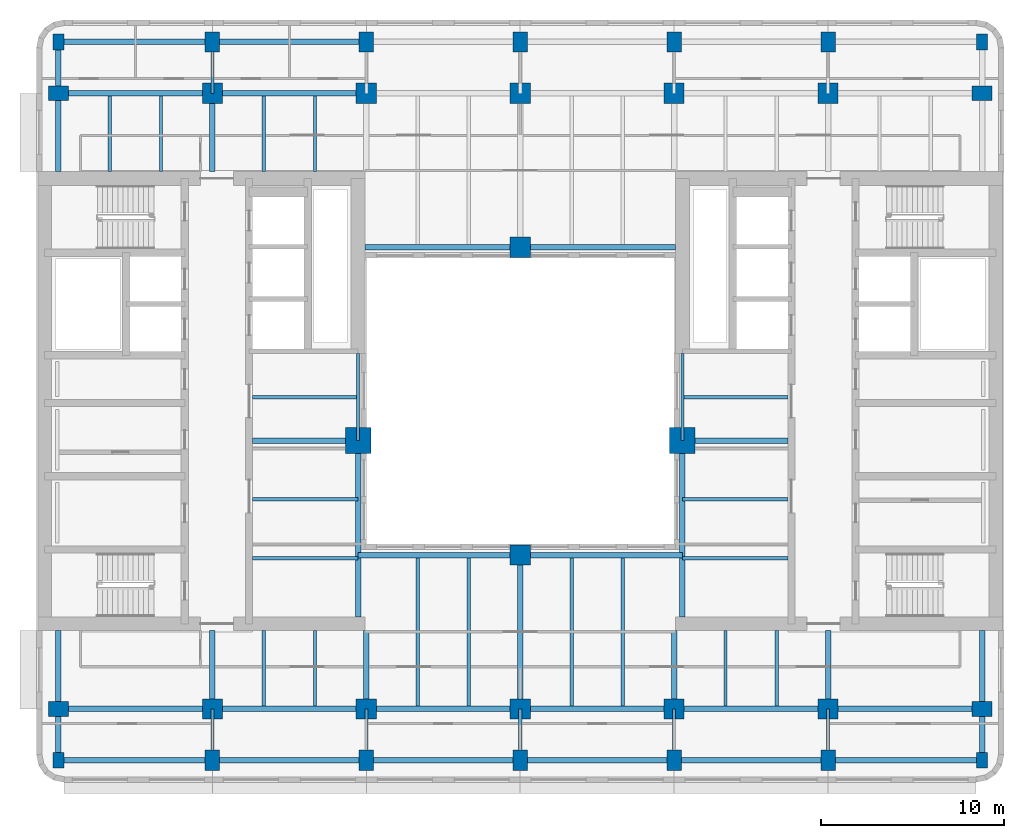
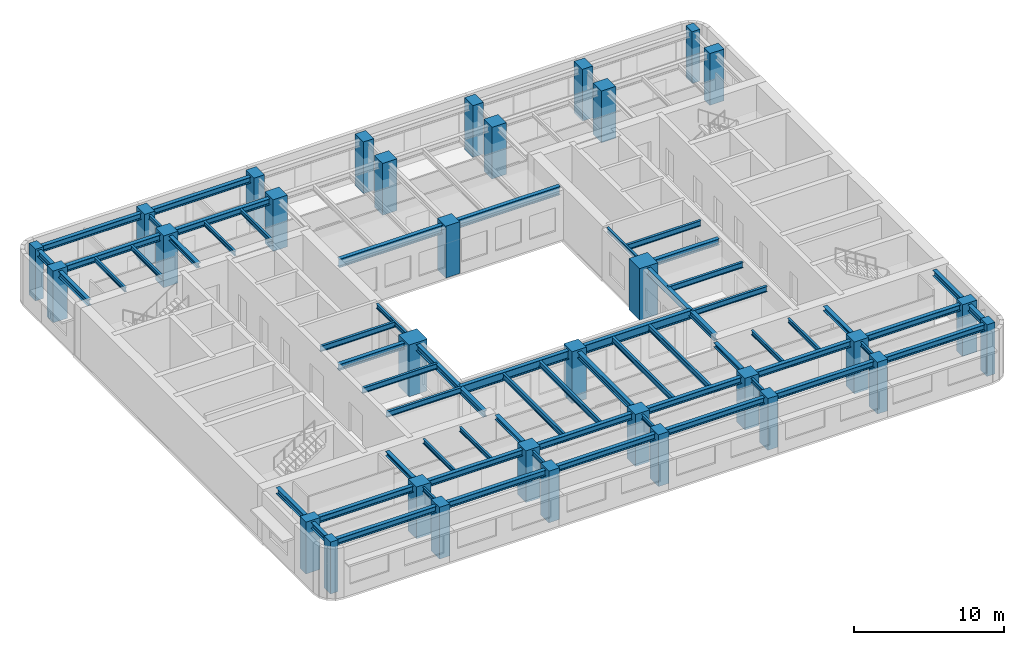
# One storey, part 1 of 11: 62 beams, 32 columns.
"""IFC4 building model written with IfcOpenShell, lengths in metres."""

from ifc_helpers import new_model, si_unit, direction, frame, origin, origin_2d, place, context, subcontext, project, spatial, rectangle, i_section, extrude, material, material_profile, profile_set, type_object, element, save


model = new_model("IFC4")

# Units and contexts
model_context = context("Model", 3, precision=1e-05, world=origin(), true_north=direction((0.0, 1.0)))
body_context = subcontext(model_context, "Body", "Model", "MODEL_VIEW")
ifc_project = project(units=[si_unit("LENGTHUNIT", "METRE"), si_unit("AREAUNIT", "SQUARE_METRE"), si_unit("VOLUMEUNIT", "CUBIC_METRE"), si_unit("PLANEANGLEUNIT", "RADIAN"), si_unit("MASSUNIT", "GRAM", prefix="KILO")], contexts=[model_context])

# Site, building, storey
site_placement = place(None, origin())
site = spatial("IfcSite", under=ifc_project, at=site_placement, CompositionType="ELEMENT")
building_placement = place(site_placement, origin())
building = spatial("IfcBuilding", under=site, at=building_placement, Name="Claustro Exchange Tower", CompositionType="ELEMENT")
storey_placement = place(building_placement, frame((0.0, 0.0, 198.60009765625)))
storey = spatial("IfcBuildingStorey", under=building, at=storey_placement, Name="L45", CompositionType="ELEMENT", Elevation=198.60009765625)

# Columns
ifc_material_1 = material(Name="Concrete HA-70 (C70/85)", Category="concrete")
ifc_material_profile_1 = material_profile(ifc_material_1, rectangle(XDim=1.39990234375, YDim=1.39990234375, at=origin_2d()), Name="RC 1400x1400")
ifc_profile_set_1 = profile_set([ifc_material_profile_1], Name="Concrete HA-70 (C70/85)")
column_type_1 = type_object("IfcColumnType", Name="C0 RC 1400x1400 HA-70 column", PredefinedType="COLUMN", material=ifc_profile_set_1)
for number, where, z_axis, x_axis, name in (
    (1, (16.35009765625, 23.050048828125, 0.0), (0.0, 0.0, 1.0), (1.0, 0.0, 0.0), "Column C0 2+7950/C+6250 L45"),
    (2, (34.050048828125, 23.050048828125, 0.0), (0.0, 0.0, 1.0), (1.0, 0.0, 0.0), "Column C0 5+450/C+6250 L45"),
):
    element("IfcColumn", number, at=place(storey_placement, frame(where, z_axis=z_axis, x_axis=x_axis)), inside=storey, type_object=column_type_1, Name=name, PredefinedType="COLUMN", context=body_context, shape_type="SweptSolid", body=[
        extrude(rectangle(XDim=1.39990234375, YDim=1.39990234375, at=origin_2d()), origin(), (0.0, 0.0, 1.0), 4.199951171875),
    ])
ifc_material_2 = material(Name="Concrete HA-70 (C70/85)", Category="concrete")
ifc_material_profile_2 = material_profile(ifc_material_2, rectangle(XDim=1.10009765625, YDim=1.10009765625, at=origin_2d()), Name="RC 1100x1100")
ifc_profile_set_2 = profile_set([ifc_material_profile_2], Name="Concrete HA-70 (C70/85)")
column_type_2 = type_object("IfcColumnType", Name="C17 RC 1100x1100 HA-70 column", PredefinedType="COLUMN", material=ifc_profile_set_2)
for number, where, z_axis, x_axis, name in (
    (3, (8.39990234375, 8.39990234375, 0.0), (0.0, 0.0, 1.0), (1.0, 0.0, 0.0), "Column C17 2/B L45"),
    (4, (8.39990234375, 42.0, 0.0), (0.0, 0.0, 1.0), (1.0, 0.0, 0.0), "Column C17 2/F L45"),
    (5, (16.800048828125, 8.39990234375, 0.0), (0.0, 0.0, 1.0), (1.0, 0.0, 0.0), "Column C17 3/B L45"),
    (6, (16.800048828125, 42.0, 0.0), (0.0, 0.0, 1.0), (1.0, 0.0, 0.0), "Column C17 3/F L45"),
    (7, (25.199951171875, 8.39990234375, 0.0), (0.0, 0.0, 1.0), (1.0, 0.0, 0.0), "Column C17 4/B L45"),
    (8, (25.199951171875, 42.0, 0.0), (0.0, 0.0, 1.0), (1.0, 0.0, 0.0), "Column C17 4/F L45"),
    (9, (25.199951171875, 16.800048828125, 0.0), (0.0, 0.0, 1.0), (1.0, 0.0, 0.0), "Column C17 4/C L45"),
    (10, (25.199951171875, 33.60009765625, 0.0), (0.0, 0.0, 1.0), (1.0, 0.0, 0.0), "Column C17 4/E L45"),
    (11, (33.60009765625, 8.39990234375, 0.0), (0.0, 0.0, 1.0), (1.0, 0.0, 0.0), "Column C17 5/B L45"),
    (12, (33.60009765625, 42.0, 0.0), (0.0, 0.0, 1.0), (1.0, 0.0, 0.0), "Column C17 5/F L45"),
    (13, (42.0, 8.39990234375, 0.0), (0.0, 0.0, 1.0), (1.0, 0.0, 0.0), "Column C17 6/B L45"),
    (14, (42.0, 42.0, 0.0), (0.0, 0.0, 1.0), (1.0, 0.0, 0.0), "Column C17 6/F L45"),
):
    element("IfcColumn", number, at=place(storey_placement, frame(where, z_axis=z_axis, x_axis=x_axis)), inside=storey, type_object=column_type_2, Name=name, PredefinedType="COLUMN", context=body_context, shape_type="SweptSolid", body=[
        extrude(rectangle(XDim=1.10009765625, YDim=1.10009765625, at=origin_2d()), origin(), (0.0, 0.0, 1.0), 4.199951171875),
    ])
ifc_material_3 = material(Name="Concrete HA-50 (C50/60)", Category="concrete")
ifc_material_profile_3 = material_profile(ifc_material_3, rectangle(XDim=0.800048828125, YDim=1.10009765625, at=origin_2d()), Name="RC 800x1100")
ifc_profile_set_3 = profile_set([ifc_material_profile_3], Name="Concrete HA-50 (C50/60)")
column_type_3 = type_object("IfcColumnType", Name="C23 RC 800x1100 HA-50 perimeter column", PredefinedType="COLUMN", material=ifc_profile_set_3)
for number, where, z_axis, x_axis, name in (
    (15, (0.0, 8.39990234375, 0.0), (0.0, 0.0, 1.0), (0.0, 1.0, 0.0), "Column C23 1/B L45"),
    (16, (0.0, 42.0, 0.0), (0.0, 0.0, 1.0), (0.0, 1.0, 0.0), "Column C23 1/F L45"),
    (17, (8.39990234375, 5.60009765625, 0.0), (0.0, 0.0, 1.0), (1.0, 0.0, 0.0), "Column C23 2/A+5600 L45"),
    (18, (8.39990234375, 44.800048828125, 0.0), (0.0, 0.0, 1.0), (1.0, 0.0, 0.0), "Column C23 2/F+2800 L45"),
    (19, (16.800048828125, 5.60009765625, 0.0), (0.0, 0.0, 1.0), (1.0, 0.0, 0.0), "Column C23 3/A+5600 L45"),
    (20, (16.800048828125, 44.800048828125, 0.0), (0.0, 0.0, 1.0), (1.0, 0.0, 0.0), "Column C23 3/F+2800 L45"),
    (21, (25.199951171875, 5.60009765625, 0.0), (0.0, 0.0, 1.0), (1.0, 0.0, 0.0), "Column C23 4/A+5600 L45"),
    (22, (25.199951171875, 44.800048828125, 0.0), (0.0, 0.0, 1.0), (1.0, 0.0, 0.0), "Column C23 4/F+2800 L45"),
    (23, (33.60009765625, 5.60009765625, 0.0), (0.0, 0.0, 1.0), (1.0, 0.0, 0.0), "Column C23 5/A+5600 L45"),
    (24, (33.60009765625, 44.800048828125, 0.0), (0.0, 0.0, 1.0), (1.0, 0.0, 0.0), "Column C23 5/F+2800 L45"),
    (25, (42.0, 5.60009765625, 0.0), (0.0, 0.0, 1.0), (1.0, 0.0, 0.0), "Column C23 6/A+5600 L45"),
    (26, (42.0, 44.800048828125, 0.0), (0.0, 0.0, 1.0), (1.0, 0.0, 0.0), "Column C23 6/F+2800 L45"),
    (27, (50.39990234375, 8.39990234375, 0.0), (0.0, 0.0, 1.0), (0.0, 1.0, 0.0), "Column C23 7/B L45"),
    (28, (50.39990234375, 42.0, 0.0), (0.0, 0.0, 1.0), (0.0, 1.0, 0.0), "Column C23 7/F L45"),
):
    element("IfcColumn", number, at=place(storey_placement, frame(where, z_axis=z_axis, x_axis=x_axis)), inside=storey, type_object=column_type_3, Name=name, PredefinedType="COLUMN", context=body_context, shape_type="SweptSolid", body=[
        extrude(rectangle(XDim=0.800048828125, YDim=1.10009765625, at=origin_2d()), origin(), (0.0, 0.0, 1.0), 4.199951171875),
    ])
ifc_material_4 = material(Name="Concrete HA-50 (C50/60)", Category="concrete")
ifc_material_profile_4 = material_profile(ifc_material_4, rectangle(XDim=0.60009765625, YDim=0.85009765625, at=origin_2d()), Name="RC 600x850")
ifc_profile_set_4 = profile_set([ifc_material_profile_4], Name="Concrete HA-50 (C50/60)")
column_type_4 = type_object("IfcColumnType", Name="C25 RC 600x850 HA-50 corner column", PredefinedType="COLUMN", material=ifc_profile_set_4)
for number, where, z_axis, x_axis, name in (
    (29, (0.0, 5.60009765625, 0.0), (0.0, 0.0, 1.0), (1.0, 0.0, 0.0), "Column C25 1/A+5600 L45"),
    (30, (0.0, 44.800048828125, 0.0), (0.0, 0.0, 1.0), (1.0, 0.0, 0.0), "Column C25 1/F+2800 L45"),
    (31, (50.39990234375, 5.60009765625, 0.0), (0.0, 0.0, 1.0), (1.0, 0.0, 0.0), "Column C25 7/A+5600 L45"),
    (32, (50.39990234375, 44.800048828125, 0.0), (0.0, 0.0, 1.0), (1.0, 0.0, 0.0), "Column C25 7/F+2800 L45"),
):
    element("IfcColumn", number, at=place(storey_placement, frame(where, z_axis=z_axis, x_axis=x_axis)), inside=storey, type_object=column_type_4, Name=name, PredefinedType="COLUMN", context=body_context, shape_type="SweptSolid", body=[
        extrude(rectangle(XDim=0.60009765625, YDim=0.85009765625, at=origin_2d()), origin(), (0.0, 0.0, 1.0), 4.199951171875),
    ])

# Beams
ifc_material_5 = material(Name="Steel S355", Category="steel")
ifc_material_profile_5 = material_profile(ifc_material_5, i_section(OverallWidth=0.300048828125, OverallDepth=0.68994140625, WebThickness=0.014404296875, FlangeThickness=0.027099609375, FilletRadius=0.027099609375, at=origin_2d()), Name="HE 700 A")
ifc_profile_set_5 = profile_set([ifc_material_profile_5], Name="Steel S355")
beam_type_1 = type_object("IfcBeamType", Name="B13 HE 700 A light well edge girder", PredefinedType="BEAM", material=ifc_profile_set_5)
beam_1_placement = place(storey_placement, frame((16.35009765625, 16.800048828125, 3.704833984375), z_axis=(1.0, 0.0, 0.0), x_axis=(0.0, 1.0, 0.0)))
element("IfcBeam", 33, at=beam_1_placement, inside=storey, type_object=beam_type_1, Name="Beam B13 L46", PredefinedType="BEAM", context=body_context, shape_type="SweptSolid", body=[
    extrude(i_section(OverallWidth=0.300048828125, OverallDepth=0.68994140625, WebThickness=0.014404296875, FlangeThickness=0.027099609375, FilletRadius=0.027099609375, at=origin_2d()), origin(), (0.0, 0.0, 1.0), 8.849853515625),
])
beam_2_placement = place(storey_placement, frame((25.199951171875, 16.800048828125, 3.704833984375), z_axis=(1.0, 0.0, 0.0), x_axis=(0.0, 1.0, 0.0)))
element("IfcBeam", 34, at=beam_2_placement, inside=storey, type_object=beam_type_1, Name="Beam B13 L46", PredefinedType="BEAM", context=body_context, shape_type="SweptSolid", body=[
    extrude(i_section(OverallWidth=0.300048828125, OverallDepth=0.68994140625, WebThickness=0.014404296875, FlangeThickness=0.027099609375, FilletRadius=0.027099609375, at=origin_2d()), origin(), (0.0, 0.0, 1.0), 8.85009765625),
])
beam_3_placement = place(storey_placement, frame((16.72509765625, 33.60009765625, 3.704833984375), z_axis=(1.0, 0.0, 0.0), x_axis=(0.0, 1.0, 0.0)))
element("IfcBeam", 35, at=beam_3_placement, inside=storey, type_object=beam_type_1, Name="Beam B13 L46", PredefinedType="BEAM", context=body_context, shape_type="SweptSolid", body=[
    extrude(i_section(OverallWidth=0.300048828125, OverallDepth=0.68994140625, WebThickness=0.014404296875, FlangeThickness=0.027099609375, FilletRadius=0.027099609375, at=origin_2d()), origin(), (0.0, 0.0, 1.0), 8.474853515625),
])
beam_4_placement = place(storey_placement, frame((25.199951171875, 33.60009765625, 3.704833984375), z_axis=(1.0, 0.0, 0.0), x_axis=(0.0, 1.0, 0.0)))
element("IfcBeam", 36, at=beam_4_placement, inside=storey, type_object=beam_type_1, Name="Beam B13 L46", PredefinedType="BEAM", context=body_context, shape_type="SweptSolid", body=[
    extrude(i_section(OverallWidth=0.300048828125, OverallDepth=0.68994140625, WebThickness=0.014404296875, FlangeThickness=0.027099609375, FilletRadius=0.027099609375, at=origin_2d()), origin(), (0.0, 0.0, 1.0), 8.47509765625),
])
ifc_material_6 = material(Name="Steel S355", Category="steel")
ifc_material_profile_6 = material_profile(ifc_material_6, i_section(OverallWidth=0.169921875, OverallDepth=0.360107421875, WebThickness=0.008056640625, FlangeThickness=0.0126953125, FilletRadius=0.01806640625, at=origin_2d()), Name="IPE 360")
ifc_profile_set_6 = profile_set([ifc_material_profile_6], Name="Steel S355")
beam_type_2 = type_object("IfcBeamType", Name="B16 IPE 360 short-span beam", PredefinedType="BEAM", material=ifc_profile_set_6)
beam_5_placement = place(storey_placement, frame((8.39990234375, 5.60009765625, 3.869873046875), z_axis=(0.0, 1.0, 0.0), x_axis=(-1.0, 0.0, 0.0)))
element("IfcBeam", 37, at=beam_5_placement, inside=storey, type_object=beam_type_2, Name="Beam B16 L46", PredefinedType="BEAM", context=body_context, shape_type="SweptSolid", body=[
    extrude(i_section(OverallWidth=0.169921875, OverallDepth=0.360107421875, WebThickness=0.008056640625, FlangeThickness=0.0126953125, FilletRadius=0.01806640625, at=origin_2d()), origin(), (0.0, 0.0, 1.0), 2.7998046875),
])
beam_6_placement = place(storey_placement, frame((8.39990234375, 42.0, 3.869873046875), z_axis=(0.0, 1.0, 0.0), x_axis=(-1.0, 0.0, 0.0)))
element("IfcBeam", 38, at=beam_6_placement, inside=storey, type_object=beam_type_2, Name="Beam B16 L46", PredefinedType="BEAM", context=body_context, shape_type="SweptSolid", body=[
    extrude(i_section(OverallWidth=0.169921875, OverallDepth=0.360107421875, WebThickness=0.008056640625, FlangeThickness=0.0126953125, FilletRadius=0.01806640625, at=origin_2d()), origin(), (0.0, 0.0, 1.0), 2.800048828125),
])
for number, where, z_axis, x_axis, name in (
    (39, (16.800048828125, 5.60009765625, 3.869873046875), (0.0, 1.0, 0.0), (-1.0, 0.0, 0.0), "Beam B16 L46"),
    (40, (25.199951171875, 5.60009765625, 3.869873046875), (0.0, 1.0, 0.0), (-1.0, 0.0, 0.0), "Beam B16 L46"),
    (41, (33.60009765625, 5.60009765625, 3.869873046875), (0.0, 1.0, 0.0), (-1.0, 0.0, 0.0), "Beam B16 L46"),
    (42, (42.0, 5.60009765625, 3.869873046875), (0.0, 1.0, 0.0), (-1.0, 0.0, 0.0), "Beam B16 L46"),
):
    element("IfcBeam", number, at=place(storey_placement, frame(where, z_axis=z_axis, x_axis=x_axis)), inside=storey, type_object=beam_type_2, Name=name, PredefinedType="BEAM", context=body_context, shape_type="SweptSolid", body=[
        extrude(i_section(OverallWidth=0.169921875, OverallDepth=0.360107421875, WebThickness=0.008056640625, FlangeThickness=0.0126953125, FilletRadius=0.01806640625, at=origin_2d()), origin(), (0.0, 0.0, 1.0), 2.7998046875),
    ])
for number, where, z_axis, x_axis, name in (
    (43, (2.800048828125, 37.72509765625, 3.869873046875), (0.0, 1.0, 0.0), (-1.0, 0.0, 0.0), "Beam B16 L46"),
    (44, (5.60009765625, 37.72509765625, 3.869873046875), (0.0, 1.0, 0.0), (-1.0, 0.0, 0.0), "Beam B16 L46"),
    (45, (11.199951171875, 8.550048828125, 3.869873046875), (0.0, 1.0, 0.0), (-1.0, 0.0, 0.0), "Beam B16 L46"),
    (46, (14.0, 8.550048828125, 3.869873046875), (0.0, 1.0, 0.0), (-1.0, 0.0, 0.0), "Beam B16 L46"),
    (47, (11.199951171875, 37.72509765625, 3.869873046875), (0.0, 1.0, 0.0), (-1.0, 0.0, 0.0), "Beam B16 L46"),
    (48, (14.0, 37.72509765625, 3.869873046875), (0.0, 1.0, 0.0), (-1.0, 0.0, 0.0), "Beam B16 L46"),
    (49, (36.39990234375, 8.550048828125, 3.869873046875), (0.0, 1.0, 0.0), (-1.0, 0.0, 0.0), "Beam B16 L46"),
    (50, (39.199951171875, 8.550048828125, 3.869873046875), (0.0, 1.0, 0.0), (-1.0, 0.0, 0.0), "Beam B16 L46"),
):
    element("IfcBeam", number, at=place(storey_placement, frame(where, z_axis=z_axis, x_axis=x_axis)), inside=storey, type_object=beam_type_2, Name=name, PredefinedType="BEAM", context=body_context, shape_type="SweptSolid", body=[
        extrude(i_section(OverallWidth=0.169921875, OverallDepth=0.360107421875, WebThickness=0.008056640625, FlangeThickness=0.0126953125, FilletRadius=0.01806640625, at=origin_2d()), origin(), (0.0, 0.0, 1.0), 4.125),
    ])
for number, where, z_axis, x_axis, name in (
    (51, (16.35009765625, 23.050048828125, 3.869873046875), (0.0, 1.0, 0.0), (-1.0, 0.0, 0.0), "Beam B16 core step framing L46"),
    (52, (34.050048828125, 23.050048828125, 3.869873046875), (0.0, 1.0, 0.0), (-1.0, 0.0, 0.0), "Beam B16 core step framing L46"),
):
    element("IfcBeam", number, at=place(storey_placement, frame(where, z_axis=z_axis, x_axis=x_axis)), inside=storey, type_object=beam_type_2, Name=name, PredefinedType="BEAM", context=body_context, shape_type="SweptSolid", body=[
        extrude(i_section(OverallWidth=0.169921875, OverallDepth=0.360107421875, WebThickness=0.008056640625, FlangeThickness=0.0126953125, FilletRadius=0.01806640625, at=origin_2d()), origin(), (0.0, 0.0, 1.0), 4.75),
    ])
ifc_material_7 = material(Name="Steel S355", Category="steel")
ifc_material_profile_7 = material_profile(ifc_material_7, i_section(OverallWidth=0.300048828125, OverallDepth=0.360107421875, WebThickness=0.012451171875, FlangeThickness=0.0224609375, FilletRadius=0.027099609375, at=origin_2d()), Name="HE 360 B")
ifc_profile_set_7 = profile_set([ifc_material_profile_7], Name="Steel S355")
beam_type_3 = type_object("IfcBeamType", Name="B29 HE 360 B column to core link beam", PredefinedType="BEAM", material=ifc_profile_set_7)
beam_7_placement = place(storey_placement, frame((8.39990234375, 8.39990234375, 3.869873046875), z_axis=(0.0, 1.0, 0.0), x_axis=(-1.0, 0.0, 0.0)))
element("IfcBeam", 53, at=beam_7_placement, inside=storey, type_object=beam_type_3, Name="Beam B29 L46", PredefinedType="BEAM", context=body_context, shape_type="SweptSolid", body=[
    extrude(i_section(OverallWidth=0.300048828125, OverallDepth=0.360107421875, WebThickness=0.012451171875, FlangeThickness=0.0224609375, FilletRadius=0.027099609375, at=origin_2d()), origin(), (0.0, 0.0, 1.0), 4.275146484375),
])
beam_8_placement = place(storey_placement, frame((8.39990234375, 37.72509765625, 3.869873046875), z_axis=(0.0, 1.0, 0.0), x_axis=(-1.0, 0.0, 0.0)))
element("IfcBeam", 54, at=beam_8_placement, inside=storey, type_object=beam_type_3, Name="Beam B29 L46", PredefinedType="BEAM", context=body_context, shape_type="SweptSolid", body=[
    extrude(i_section(OverallWidth=0.300048828125, OverallDepth=0.360107421875, WebThickness=0.012451171875, FlangeThickness=0.0224609375, FilletRadius=0.027099609375, at=origin_2d()), origin(), (0.0, 0.0, 1.0), 4.27490234375),
])
for number, where, z_axis, x_axis, name in (
    (55, (16.800048828125, 8.39990234375, 3.869873046875), (0.0, 1.0, 0.0), (-1.0, 0.0, 0.0), "Beam B29 L46"),
    (56, (33.60009765625, 8.39990234375, 3.869873046875), (0.0, 1.0, 0.0), (-1.0, 0.0, 0.0), "Beam B29 L46"),
    (57, (42.0, 8.39990234375, 3.869873046875), (0.0, 1.0, 0.0), (-1.0, 0.0, 0.0), "Beam B29 L46"),
):
    element("IfcBeam", number, at=place(storey_placement, frame(where, z_axis=z_axis, x_axis=x_axis)), inside=storey, type_object=beam_type_3, Name=name, PredefinedType="BEAM", context=body_context, shape_type="SweptSolid", body=[
        extrude(i_section(OverallWidth=0.300048828125, OverallDepth=0.360107421875, WebThickness=0.012451171875, FlangeThickness=0.0224609375, FilletRadius=0.027099609375, at=origin_2d()), origin(), (0.0, 0.0, 1.0), 4.275146484375),
    ])
ifc_material_8 = material(Name="Steel S355", Category="steel")
ifc_material_profile_8 = material_profile(ifc_material_8, i_section(OverallWidth=0.300048828125, OverallDepth=0.5, WebThickness=0.014404296875, FlangeThickness=0.028076171875, FilletRadius=0.027099609375, at=origin_2d()), Name="HE 500 B")
ifc_profile_set_8 = profile_set([ifc_material_profile_8], Name="Steel S355")
beam_type_4 = type_object("IfcBeamType", Name="B7 HE 500 B floor girder", PredefinedType="BEAM", material=ifc_profile_set_8)
beam_9_placement = place(storey_placement, frame((25.199951171875, 8.39990234375, 3.7998046875), z_axis=(0.0, 1.0, 0.0), x_axis=(-1.0, 0.0, 0.0)))
element("IfcBeam", 58, at=beam_9_placement, inside=storey, type_object=beam_type_4, Name="Beam B7 L46", PredefinedType="BEAM", context=body_context, shape_type="SweptSolid", body=[
    extrude(i_section(OverallWidth=0.300048828125, OverallDepth=0.5, WebThickness=0.014404296875, FlangeThickness=0.028076171875, FilletRadius=0.027099609375, at=origin_2d()), origin(), (0.0, 0.0, 1.0), 8.400146484375),
])
beam_10_placement = place(storey_placement, frame((0.0, 8.39990234375, 3.7998046875), z_axis=(1.0, 0.0, 0.0), x_axis=(0.0, 1.0, 0.0)))
element("IfcBeam", 59, at=beam_10_placement, inside=storey, type_object=beam_type_4, Name="Beam B7 L46", PredefinedType="BEAM", context=body_context, shape_type="SweptSolid", body=[
    extrude(i_section(OverallWidth=0.300048828125, OverallDepth=0.5, WebThickness=0.014404296875, FlangeThickness=0.028076171875, FilletRadius=0.027099609375, at=origin_2d()), origin(), (0.0, 0.0, 1.0), 8.39990234375),
])
beam_11_placement = place(storey_placement, frame((8.39990234375, 8.39990234375, 3.7998046875), z_axis=(1.0, 0.0, 0.0), x_axis=(0.0, 1.0, 0.0)))
element("IfcBeam", 60, at=beam_11_placement, inside=storey, type_object=beam_type_4, Name="Beam B7 L46", PredefinedType="BEAM", context=body_context, shape_type="SweptSolid", body=[
    extrude(i_section(OverallWidth=0.300048828125, OverallDepth=0.5, WebThickness=0.014404296875, FlangeThickness=0.028076171875, FilletRadius=0.027099609375, at=origin_2d()), origin(), (0.0, 0.0, 1.0), 8.400146484375),
])
beam_12_placement = place(storey_placement, frame((16.800048828125, 8.39990234375, 3.7998046875), z_axis=(1.0, 0.0, 0.0), x_axis=(0.0, 1.0, 0.0)))
element("IfcBeam", 61, at=beam_12_placement, inside=storey, type_object=beam_type_4, Name="Beam B7 L46", PredefinedType="BEAM", context=body_context, shape_type="SweptSolid", body=[
    extrude(i_section(OverallWidth=0.300048828125, OverallDepth=0.5, WebThickness=0.014404296875, FlangeThickness=0.028076171875, FilletRadius=0.027099609375, at=origin_2d()), origin(), (0.0, 0.0, 1.0), 8.39990234375),
])
beam_13_placement = place(storey_placement, frame((25.199951171875, 8.39990234375, 3.7998046875), z_axis=(1.0, 0.0, 0.0), x_axis=(0.0, 1.0, 0.0)))
element("IfcBeam", 62, at=beam_13_placement, inside=storey, type_object=beam_type_4, Name="Beam B7 L46", PredefinedType="BEAM", context=body_context, shape_type="SweptSolid", body=[
    extrude(i_section(OverallWidth=0.300048828125, OverallDepth=0.5, WebThickness=0.014404296875, FlangeThickness=0.028076171875, FilletRadius=0.027099609375, at=origin_2d()), origin(), (0.0, 0.0, 1.0), 8.400146484375),
])
for number, where, z_axis, x_axis, name in (
    (63, (33.60009765625, 8.39990234375, 3.7998046875), (1.0, 0.0, 0.0), (0.0, 1.0, 0.0), "Beam B7 L46"),
    (64, (42.0, 8.39990234375, 3.7998046875), (1.0, 0.0, 0.0), (0.0, 1.0, 0.0), "Beam B7 L46"),
    (65, (0.0, 42.0, 3.7998046875), (1.0, 0.0, 0.0), (0.0, 1.0, 0.0), "Beam B7 L46"),
):
    element("IfcBeam", number, at=place(storey_placement, frame(where, z_axis=z_axis, x_axis=x_axis)), inside=storey, type_object=beam_type_4, Name=name, PredefinedType="BEAM", context=body_context, shape_type="SweptSolid", body=[
        extrude(i_section(OverallWidth=0.300048828125, OverallDepth=0.5, WebThickness=0.014404296875, FlangeThickness=0.028076171875, FilletRadius=0.027099609375, at=origin_2d()), origin(), (0.0, 0.0, 1.0), 8.39990234375),
    ])
beam_14_placement = place(storey_placement, frame((8.39990234375, 42.0, 3.7998046875), z_axis=(1.0, 0.0, 0.0), x_axis=(0.0, 1.0, 0.0)))
element("IfcBeam", 66, at=beam_14_placement, inside=storey, type_object=beam_type_4, Name="Beam B7 L46", PredefinedType="BEAM", context=body_context, shape_type="SweptSolid", body=[
    extrude(i_section(OverallWidth=0.300048828125, OverallDepth=0.5, WebThickness=0.014404296875, FlangeThickness=0.028076171875, FilletRadius=0.027099609375, at=origin_2d()), origin(), (0.0, 0.0, 1.0), 8.400146484375),
])
beam_15_placement = place(storey_placement, frame((10.60009765625, 23.050048828125, 3.7998046875), z_axis=(1.0, 0.0, 0.0), x_axis=(0.0, 1.0, 0.0)))
element("IfcBeam", 67, at=beam_15_placement, inside=storey, type_object=beam_type_4, Name="Beam B7 core step framing L46", PredefinedType="BEAM", context=body_context, shape_type="SweptSolid", body=[
    extrude(i_section(OverallWidth=0.300048828125, OverallDepth=0.5, WebThickness=0.014404296875, FlangeThickness=0.028076171875, FilletRadius=0.027099609375, at=origin_2d()), origin(), (0.0, 0.0, 1.0), 5.75),
])
beam_16_placement = place(storey_placement, frame((16.35009765625, 13.425048828125, 3.7998046875), z_axis=(0.0, 1.0, 0.0), x_axis=(-1.0, 0.0, 0.0)))
element("IfcBeam", 68, at=beam_16_placement, inside=storey, type_object=beam_type_4, Name="Beam B7 core step framing L46", PredefinedType="BEAM", context=body_context, shape_type="SweptSolid", body=[
    extrude(i_section(OverallWidth=0.300048828125, OverallDepth=0.5, WebThickness=0.014404296875, FlangeThickness=0.028076171875, FilletRadius=0.027099609375, at=origin_2d()), origin(), (0.0, 0.0, 1.0), 9.625),
])
beam_17_placement = place(storey_placement, frame((34.050048828125, 23.050048828125, 3.7998046875), z_axis=(1.0, 0.0, 0.0), x_axis=(0.0, 1.0, 0.0)))
element("IfcBeam", 69, at=beam_17_placement, inside=storey, type_object=beam_type_4, Name="Beam B7 core step framing L46", PredefinedType="BEAM", context=body_context, shape_type="SweptSolid", body=[
    extrude(i_section(OverallWidth=0.300048828125, OverallDepth=0.5, WebThickness=0.014404296875, FlangeThickness=0.028076171875, FilletRadius=0.027099609375, at=origin_2d()), origin(), (0.0, 0.0, 1.0), 5.75),
])
beam_18_placement = place(storey_placement, frame((34.050048828125, 13.425048828125, 3.7998046875), z_axis=(0.0, 1.0, 0.0), x_axis=(-1.0, 0.0, 0.0)))
element("IfcBeam", 70, at=beam_18_placement, inside=storey, type_object=beam_type_4, Name="Beam B7 core step framing L46", PredefinedType="BEAM", context=body_context, shape_type="SweptSolid", body=[
    extrude(i_section(OverallWidth=0.300048828125, OverallDepth=0.5, WebThickness=0.014404296875, FlangeThickness=0.028076171875, FilletRadius=0.027099609375, at=origin_2d()), origin(), (0.0, 0.0, 1.0), 9.625),
])
ifc_material_9 = material(Name="Steel S355", Category="steel")
ifc_material_profile_9 = material_profile(ifc_material_9, i_section(OverallWidth=0.18994140625, OverallDepth=0.449951171875, WebThickness=0.009521484375, FlangeThickness=0.0146484375, FilletRadius=0.02099609375, at=origin_2d()), Name="IPE 450")
ifc_profile_set_9 = profile_set([ifc_material_profile_9], Name="Steel S355")
beam_type_5 = type_object("IfcBeamType", Name="B8 IPE 450 secondary beam", PredefinedType="BEAM", material=ifc_profile_set_9)
for number, where, z_axis, x_axis, name in (
    (71, (19.60009765625, 8.550048828125, 3.824951171875), (0.0, 1.0, 0.0), (-1.0, 0.0, 0.0), "Beam B8 L46"),
    (72, (22.39990234375, 8.550048828125, 3.824951171875), (0.0, 1.0, 0.0), (-1.0, 0.0, 0.0), "Beam B8 L46"),
    (73, (28.0, 8.550048828125, 3.824951171875), (0.0, 1.0, 0.0), (-1.0, 0.0, 0.0), "Beam B8 L46"),
    (74, (30.800048828125, 8.550048828125, 3.824951171875), (0.0, 1.0, 0.0), (-1.0, 0.0, 0.0), "Beam B8 L46"),
):
    element("IfcBeam", number, at=place(storey_placement, frame(where, z_axis=z_axis, x_axis=x_axis)), inside=storey, type_object=beam_type_5, Name=name, PredefinedType="BEAM", context=body_context, shape_type="SweptSolid", body=[
        extrude(i_section(OverallWidth=0.18994140625, OverallDepth=0.449951171875, WebThickness=0.009521484375, FlangeThickness=0.0146484375, FilletRadius=0.02099609375, at=origin_2d()), origin(), (0.0, 0.0, 1.0), 8.099853515625),
    ])
for number, where, z_axis, x_axis, name in (
    (75, (10.60009765625, 16.63330078125, 3.824951171875), (1.0, 0.0, 0.0), (0.0, 1.0, 0.0), "Beam B8 core step framing L46"),
    (76, (10.60009765625, 19.841796875, 3.824951171875), (1.0, 0.0, 0.0), (0.0, 1.0, 0.0), "Beam B8 core step framing L46"),
    (77, (10.60009765625, 25.425048828125, 3.824951171875), (1.0, 0.0, 0.0), (0.0, 1.0, 0.0), "Beam B8 core step framing L46"),
    (78, (34.050048828125, 16.63330078125, 3.824951171875), (1.0, 0.0, 0.0), (0.0, 1.0, 0.0), "Beam B8 core step framing L46"),
    (79, (34.050048828125, 19.841796875, 3.824951171875), (1.0, 0.0, 0.0), (0.0, 1.0, 0.0), "Beam B8 core step framing L46"),
    (80, (34.050048828125, 25.425048828125, 3.824951171875), (1.0, 0.0, 0.0), (0.0, 1.0, 0.0), "Beam B8 core step framing L46"),
):
    element("IfcBeam", number, at=place(storey_placement, frame(where, z_axis=z_axis, x_axis=x_axis)), inside=storey, type_object=beam_type_5, Name=name, PredefinedType="BEAM", context=body_context, shape_type="SweptSolid", body=[
        extrude(i_section(OverallWidth=0.18994140625, OverallDepth=0.449951171875, WebThickness=0.009521484375, FlangeThickness=0.0146484375, FilletRadius=0.02099609375, at=origin_2d()), origin(), (0.0, 0.0, 1.0), 5.75),
    ])
ifc_material_10 = material(Name="Steel S355", Category="steel")
ifc_material_profile_10 = material_profile(ifc_material_10, i_section(OverallWidth=0.300048828125, OverallDepth=0.489990234375, WebThickness=0.011962890625, FlangeThickness=0.02294921875, FilletRadius=0.027099609375, at=origin_2d()), Name="HE 500 A")
ifc_profile_set_10 = profile_set([ifc_material_profile_10], Name="Steel S355")
beam_type_6 = type_object("IfcBeamType", Name="B9 HE 500 A spandrel edge girder", PredefinedType="SPANDREL", material=ifc_profile_set_10)
beam_19_placement = place(storey_placement, frame((0.0, 5.60009765625, 3.804931640625), z_axis=(0.0, 1.0, 0.0), x_axis=(-1.0, 0.0, 0.0)))
element("IfcBeam", 81, at=beam_19_placement, inside=storey, type_object=beam_type_6, Name="Beam B9 L46", PredefinedType="SPANDREL", context=body_context, shape_type="SweptSolid", body=[
    extrude(i_section(OverallWidth=0.300048828125, OverallDepth=0.489990234375, WebThickness=0.011962890625, FlangeThickness=0.02294921875, FilletRadius=0.027099609375, at=origin_2d()), origin(), (0.0, 0.0, 1.0), 2.7998046875),
])
beam_20_placement = place(storey_placement, frame((0.0, 8.39990234375, 3.804931640625), z_axis=(0.0, 1.0, 0.0), x_axis=(-1.0, 0.0, 0.0)))
element("IfcBeam", 82, at=beam_20_placement, inside=storey, type_object=beam_type_6, Name="Beam B9 L46", PredefinedType="SPANDREL", context=body_context, shape_type="SweptSolid", body=[
    extrude(i_section(OverallWidth=0.300048828125, OverallDepth=0.489990234375, WebThickness=0.011962890625, FlangeThickness=0.02294921875, FilletRadius=0.027099609375, at=origin_2d()), origin(), (0.0, 0.0, 1.0), 4.275146484375),
])
beam_21_placement = place(storey_placement, frame((0.0, 37.72509765625, 3.804931640625), z_axis=(0.0, 1.0, 0.0), x_axis=(-1.0, 0.0, 0.0)))
element("IfcBeam", 83, at=beam_21_placement, inside=storey, type_object=beam_type_6, Name="Beam B9 L46", PredefinedType="SPANDREL", context=body_context, shape_type="SweptSolid", body=[
    extrude(i_section(OverallWidth=0.300048828125, OverallDepth=0.489990234375, WebThickness=0.011962890625, FlangeThickness=0.02294921875, FilletRadius=0.027099609375, at=origin_2d()), origin(), (0.0, 0.0, 1.0), 4.27490234375),
])
beam_22_placement = place(storey_placement, frame((0.0, 42.0, 3.804931640625), z_axis=(0.0, 1.0, 0.0), x_axis=(-1.0, 0.0, 0.0)))
element("IfcBeam", 84, at=beam_22_placement, inside=storey, type_object=beam_type_6, Name="Beam B9 L46", PredefinedType="SPANDREL", context=body_context, shape_type="SweptSolid", body=[
    extrude(i_section(OverallWidth=0.300048828125, OverallDepth=0.489990234375, WebThickness=0.011962890625, FlangeThickness=0.02294921875, FilletRadius=0.027099609375, at=origin_2d()), origin(), (0.0, 0.0, 1.0), 2.800048828125),
])
beam_23_placement = place(storey_placement, frame((50.39990234375, 5.60009765625, 3.804931640625), z_axis=(0.0, 1.0, 0.0), x_axis=(-1.0, 0.0, 0.0)))
element("IfcBeam", 85, at=beam_23_placement, inside=storey, type_object=beam_type_6, Name="Beam B9 L46", PredefinedType="SPANDREL", context=body_context, shape_type="SweptSolid", body=[
    extrude(i_section(OverallWidth=0.300048828125, OverallDepth=0.489990234375, WebThickness=0.011962890625, FlangeThickness=0.02294921875, FilletRadius=0.027099609375, at=origin_2d()), origin(), (0.0, 0.0, 1.0), 2.7998046875),
])
beam_24_placement = place(storey_placement, frame((50.39990234375, 8.39990234375, 3.804931640625), z_axis=(0.0, 1.0, 0.0), x_axis=(-1.0, 0.0, 0.0)))
element("IfcBeam", 86, at=beam_24_placement, inside=storey, type_object=beam_type_6, Name="Beam B9 L46", PredefinedType="SPANDREL", context=body_context, shape_type="SweptSolid", body=[
    extrude(i_section(OverallWidth=0.300048828125, OverallDepth=0.489990234375, WebThickness=0.011962890625, FlangeThickness=0.02294921875, FilletRadius=0.027099609375, at=origin_2d()), origin(), (0.0, 0.0, 1.0), 4.275146484375),
])
beam_25_placement = place(storey_placement, frame((0.0, 5.60009765625, 3.804931640625), z_axis=(1.0, 0.0, 0.0), x_axis=(0.0, 1.0, 0.0)))
element("IfcBeam", 87, at=beam_25_placement, inside=storey, type_object=beam_type_6, Name="Beam B9 L46", PredefinedType="SPANDREL", context=body_context, shape_type="SweptSolid", body=[
    extrude(i_section(OverallWidth=0.300048828125, OverallDepth=0.489990234375, WebThickness=0.011962890625, FlangeThickness=0.02294921875, FilletRadius=0.027099609375, at=origin_2d()), origin(), (0.0, 0.0, 1.0), 8.39990234375),
])
beam_26_placement = place(storey_placement, frame((8.39990234375, 5.60009765625, 3.804931640625), z_axis=(1.0, 0.0, 0.0), x_axis=(0.0, 1.0, 0.0)))
element("IfcBeam", 88, at=beam_26_placement, inside=storey, type_object=beam_type_6, Name="Beam B9 L46", PredefinedType="SPANDREL", context=body_context, shape_type="SweptSolid", body=[
    extrude(i_section(OverallWidth=0.300048828125, OverallDepth=0.489990234375, WebThickness=0.011962890625, FlangeThickness=0.02294921875, FilletRadius=0.027099609375, at=origin_2d()), origin(), (0.0, 0.0, 1.0), 8.400146484375),
])
beam_27_placement = place(storey_placement, frame((16.800048828125, 5.60009765625, 3.804931640625), z_axis=(1.0, 0.0, 0.0), x_axis=(0.0, 1.0, 0.0)))
element("IfcBeam", 89, at=beam_27_placement, inside=storey, type_object=beam_type_6, Name="Beam B9 L46", PredefinedType="SPANDREL", context=body_context, shape_type="SweptSolid", body=[
    extrude(i_section(OverallWidth=0.300048828125, OverallDepth=0.489990234375, WebThickness=0.011962890625, FlangeThickness=0.02294921875, FilletRadius=0.027099609375, at=origin_2d()), origin(), (0.0, 0.0, 1.0), 8.39990234375),
])
beam_28_placement = place(storey_placement, frame((25.199951171875, 5.60009765625, 3.804931640625), z_axis=(1.0, 0.0, 0.0), x_axis=(0.0, 1.0, 0.0)))
element("IfcBeam", 90, at=beam_28_placement, inside=storey, type_object=beam_type_6, Name="Beam B9 L46", PredefinedType="SPANDREL", context=body_context, shape_type="SweptSolid", body=[
    extrude(i_section(OverallWidth=0.300048828125, OverallDepth=0.489990234375, WebThickness=0.011962890625, FlangeThickness=0.02294921875, FilletRadius=0.027099609375, at=origin_2d()), origin(), (0.0, 0.0, 1.0), 8.400146484375),
])
for number, where, z_axis, x_axis, name in (
    (91, (33.60009765625, 5.60009765625, 3.804931640625), (1.0, 0.0, 0.0), (0.0, 1.0, 0.0), "Beam B9 L46"),
    (92, (42.0, 5.60009765625, 3.804931640625), (1.0, 0.0, 0.0), (0.0, 1.0, 0.0), "Beam B9 L46"),
    (93, (0.0, 44.800048828125, 3.804931640625), (1.0, 0.0, 0.0), (0.0, 1.0, 0.0), "Beam B9 L46"),
):
    element("IfcBeam", number, at=place(storey_placement, frame(where, z_axis=z_axis, x_axis=x_axis)), inside=storey, type_object=beam_type_6, Name=name, PredefinedType="SPANDREL", context=body_context, shape_type="SweptSolid", body=[
        extrude(i_section(OverallWidth=0.300048828125, OverallDepth=0.489990234375, WebThickness=0.011962890625, FlangeThickness=0.02294921875, FilletRadius=0.027099609375, at=origin_2d()), origin(), (0.0, 0.0, 1.0), 8.39990234375),
    ])
beam_29_placement = place(storey_placement, frame((8.39990234375, 44.800048828125, 3.804931640625), z_axis=(1.0, 0.0, 0.0), x_axis=(0.0, 1.0, 0.0)))
element("IfcBeam", 94, at=beam_29_placement, inside=storey, type_object=beam_type_6, Name="Beam B9 L46", PredefinedType="SPANDREL", context=body_context, shape_type="SweptSolid", body=[
    extrude(i_section(OverallWidth=0.300048828125, OverallDepth=0.489990234375, WebThickness=0.011962890625, FlangeThickness=0.02294921875, FilletRadius=0.027099609375, at=origin_2d()), origin(), (0.0, 0.0, 1.0), 8.400146484375),
])

save(model, "model.ifc")
